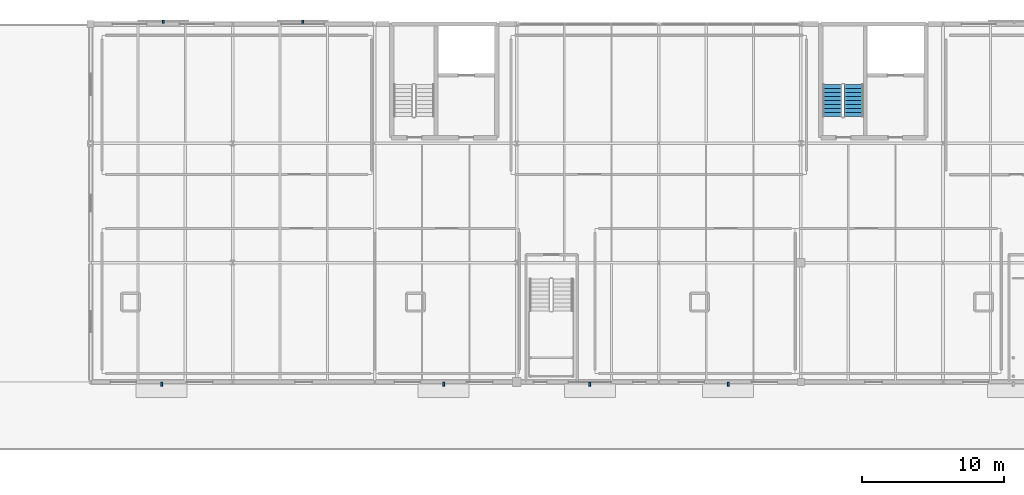
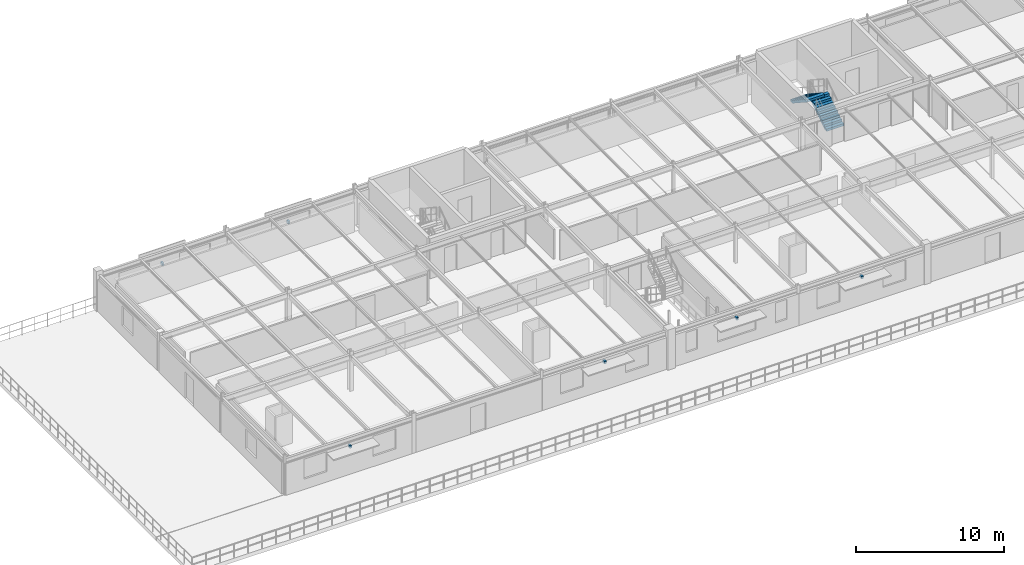
# One storey, part 19 of 23: 6 discrete accessories, 2 stair flights, 1 element without a shape of its own.
"""IFC4 building model written with IfcOpenShell, lengths in metres."""

from ifc_helpers import new_model, si_unit, derived_unit, direction, frame, origin, origin_2d_with_axis, place, context, subcontext, project, spatial, polyline, rectangle, outline, extrude, material, type_object, element, aggregate, save


model = new_model("IFC4")

# Units and contexts
model_context = context("Model", 3, precision=1e-05, world=origin(), true_north=direction((0.0, 1.0)))
body_context = subcontext(model_context, "Body", "Model", "MODEL_VIEW")
ifc_project = project(units=[si_unit("LENGTHUNIT", "METRE"), si_unit("AREAUNIT", "SQUARE_METRE"), si_unit("VOLUMEUNIT", "CUBIC_METRE"), si_unit("PLANEANGLEUNIT", "RADIAN"), si_unit("MASSUNIT", "GRAM", prefix="KILO"), derived_unit("THERMALTRANSMITTANCEUNIT", [(si_unit("POWERUNIT", "WATT"), 1), (si_unit("LENGTHUNIT", "METRE"), -2), (si_unit("THERMODYNAMICTEMPERATUREUNIT", "KELVIN"), -1)])], contexts=[model_context])

# Site, building, storey
site_placement = place(None, origin())
site = spatial("IfcSite", under=ifc_project, at=site_placement, CompositionType="ELEMENT")
building_placement = place(site_placement, origin())
building = spatial("IfcBuilding", under=site, at=building_placement, Name="Cinnabar Yard Market Hall", CompositionType="ELEMENT")
storey_placement = place(building_placement, frame((0.0, 0.0, 12.0)))
storey = spatial("IfcBuildingStorey", under=building, at=storey_placement, Name="L03", CompositionType="ELEMENT", Elevation=12.0)

# Stair, stair flights
ifc_material_1 = material(Name="Concrete 40 MPa", Category="concrete")
stair_type = type_object("IfcStairType", Name="ST-CORE", PredefinedType="HALF_TURN_STAIR", material=ifc_material_1)
stair_placement = place(storey_placement, origin())
stair = element("IfcStair", 1, at=stair_placement, inside=storey, type_object=stair_type, Name="L03 Cooking School East Core Stair", PredefinedType="HALF_TURN_STAIR")
stair_flight_type = type_object("IfcStairFlightType", Name="STF-CORE", PredefinedType="STRAIGHT", material=ifc_material_1)
stair_flight_1_placement = place(storey_placement, frame((129.72509765625, 131.489990234375, 0.0), z_axis=(0.0, 0.0, 1.0), x_axis=(0.0, 1.0, 0.0)))
stair_flight_1 = element("IfcStairFlight", 2, at=stair_flight_1_placement, type_object=stair_flight_type, Name="ST-C6 flight 1", NumberOfRisers=9, NumberOfTreads=8, PredefinedType="STRAIGHT", RiserHeight=0.183333333, TreadLength=0.28, context=body_context, shape_type="SweptSolid", body=[
    extrude(outline(polyline([(0.0, 0.0), (0.0, 0.183349609375), (0.280029296875, 0.183349609375), (0.280029296875, 0.36669921875), (0.56005859375, 0.36669921875), (0.56005859375, 0.550048828125), (0.840087890625, 0.550048828125), (0.840087890625, 0.7333984375), (1.1201171875, 0.7333984375), (1.1201171875, 0.916748046875), (1.39990234375, 0.916748046875), (1.39990234375, 1.10009765625), (1.679931640625, 1.10009765625), (1.679931640625, 1.283447265625), (1.9599609375, 1.283447265625), (1.9599609375, 1.466552734375), (2.239990234375, 1.466552734375), (2.239990234375, 1.64990234375), (2.239990234375, 1.28759765625), (0.273681640625, 0.0), (0.0, 0.0)])), frame((0.0, 0.675048828125, 0.0), z_axis=(0.0, -1.0, 0.0), x_axis=(1.0, 0.0, 0.0)), (0.0, 0.0, 1.0), 1.35009765625),
])
stair_flight_2_placement = place(storey_placement, frame((128.215087890625, 133.72998046875, 1.64990234375), z_axis=(0.0, 0.0, 1.0), x_axis=(0.0, -1.0, 0.0)))
stair_flight_2 = element("IfcStairFlight", 3, at=stair_flight_2_placement, type_object=stair_flight_type, Name="ST-C6 flight 2", NumberOfRisers=9, NumberOfTreads=8, PredefinedType="STRAIGHT", RiserHeight=0.183333333, TreadLength=0.28, context=body_context, shape_type="SweptSolid", body=[
    extrude(outline(polyline([(0.0, 0.0), (0.0, 0.183349609375), (0.280029296875, 0.183349609375), (0.280029296875, 0.36669921875), (0.56005859375, 0.36669921875), (0.56005859375, 0.550048828125), (0.840087890625, 0.550048828125), (0.840087890625, 0.7333984375), (1.1201171875, 0.7333984375), (1.1201171875, 0.916748046875), (1.39990234375, 0.916748046875), (1.39990234375, 1.10009765625), (1.679931640625, 1.10009765625), (1.679931640625, 1.283447265625), (1.9599609375, 1.283447265625), (1.9599609375, 1.466552734375), (2.239990234375, 1.466552734375), (2.239990234375, 1.64990234375), (2.239990234375, 1.28759765625), (0.273681640625, 0.0), (0.0, 0.0)])), frame((0.0, 0.675048828125, 0.0), z_axis=(0.0, -1.0, 0.0), x_axis=(1.0, 0.0, 0.0)), (0.0, 0.0, 1.0), 1.35009765625),
])
aggregate(stair, [stair_flight_1, stair_flight_2])

# Discrete accessories
ifc_material_2 = material(Name="Galvanised steel Grade 350 (350 MPa)", Category="steel")
discrete_accessory_type = type_object("IfcDiscreteAccessoryType", Name="ACC-BRK1", PredefinedType="BRACKET", material=ifc_material_2)
discrete_accessory_placement = place(storey_placement, frame((80.9990234375, 112.639892578125, 2.22998046875), z_axis=(0.0, 0.0, 1.0), x_axis=(1.0, 0.0, 0.0)))
element("IfcDiscreteAccessory", 4, at=discrete_accessory_placement, inside=storey, type_object=discrete_accessory_type, Name="Chhajja Bracket V3S-L03-1", PredefinedType="BRACKET", context=body_context, shape_type="SweptSolid", body=[
    extrude(rectangle(XDim=0.139892578125, YDim=0.280029296875, at=origin_2d_with_axis()), origin(), (0.0, 0.0, 1.0), 0.219970703125),
])
for number, where, z_axis, x_axis, name in (
    (5, (81.1220703125, 138.159912109375, 1.740234375), (0.0, 0.0, 1.0), (1.0, 0.0, 0.0), "Jali Bracket V3N-L03-1"),
    (6, (90.939697265625, 138.159912109375, 1.740234375), (0.0, 0.0, 1.0), (1.0, 0.0, 0.0), "Jali Bracket V3N-L03-2"),
):
    element("IfcDiscreteAccessory", number, at=place(storey_placement, frame(where, z_axis=z_axis, x_axis=x_axis)), inside=storey, type_object=discrete_accessory_type, Name=name, PredefinedType="BRACKET", context=body_context, shape_type="SweptSolid", body=[
        extrude(rectangle(XDim=0.139892578125, YDim=0.239990234375, at=origin_2d_with_axis()), origin(), (0.0, 0.0, 1.0), 0.219970703125),
    ])
for number, where, z_axis, x_axis, name in (
    (7, (100.85302734375, 112.639892578125, 2.22998046875), (0.0, 0.0, 1.0), (1.0, 0.0, 0.0), "Chhajja Bracket V3S-L03-3"),
    (8, (111.14697265625, 112.639892578125, 2.22998046875), (0.0, 0.0, 1.0), (1.0, 0.0, 0.0), "Chhajja Bracket V3S-L03-4"),
    (9, (120.8779296875, 112.639892578125, 2.22998046875), (0.0, 0.0, 1.0), (1.0, 0.0, 0.0), "Chhajja Bracket V3S-L03-5"),
):
    element("IfcDiscreteAccessory", number, at=place(storey_placement, frame(where, z_axis=z_axis, x_axis=x_axis)), inside=storey, type_object=discrete_accessory_type, Name=name, PredefinedType="BRACKET", context=body_context, shape_type="SweptSolid", body=[
        extrude(rectangle(XDim=0.139892578125, YDim=0.280029296875, at=origin_2d_with_axis()), origin(), (0.0, 0.0, 1.0), 0.219970703125),
    ])

save(model, "model.ifc")
